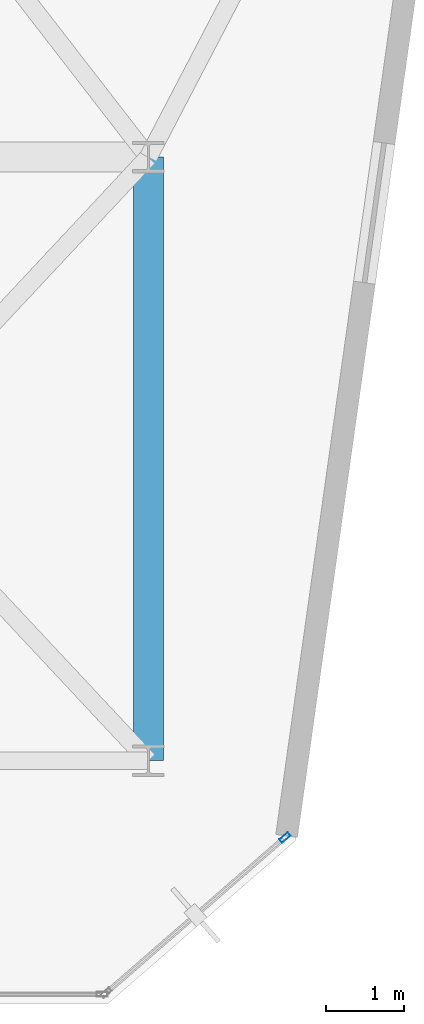
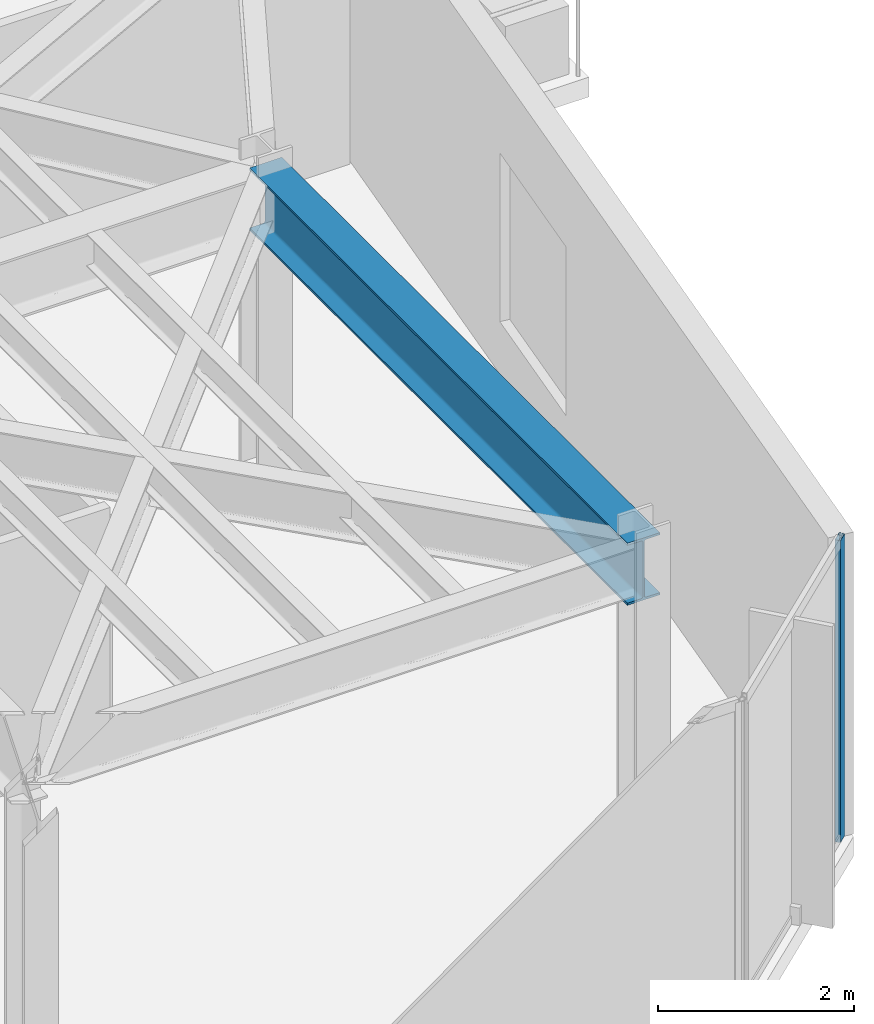
# One storey, part 20 of 27: 1 beam, 1 member, 1 element without a shape of its own.
"""IFC4 building model written with IfcOpenShell, lengths in metres."""

from ifc_helpers import new_model, si_unit, direction, frame, origin, origin_2d, place, context, subcontext, project, spatial, hollow_rectangle, i_section, extrude, material, layer, layer_set, material_profile, profile_set, type_object, element, aggregate, save


model = new_model("IFC4")

# Units and contexts
model_context = context("Model", 3, precision=1e-05, world=origin(), true_north=direction((0.0, 1.0)))
body_context = subcontext(model_context, "Body", "Model", "MODEL_VIEW")
ifc_project = project(units=[si_unit("LENGTHUNIT", "METRE"), si_unit("AREAUNIT", "SQUARE_METRE"), si_unit("VOLUMEUNIT", "CUBIC_METRE"), si_unit("PLANEANGLEUNIT", "RADIAN"), si_unit("MASSUNIT", "GRAM", prefix="KILO")], contexts=[model_context])

# Site, building, storey
site_placement = place(None, origin())
site = spatial("IfcSite", under=ifc_project, at=site_placement, CompositionType="ELEMENT")
building_placement = place(site_placement, origin())
building = spatial("IfcBuilding", under=site, at=building_placement, Name="Kravanh Interchange Tower", CompositionType="ELEMENT")
storey_placement = place(building_placement, frame((0.0, 0.0, 196.5)))
storey = spatial("IfcBuildingStorey", under=building, at=storey_placement, Name="L47", CompositionType="ELEMENT", Elevation=196.5)

# Curtain wall, member
ifc_material_1 = material(Name="Anodised Bronze Aluminium", Category="aluminium")
ifc_layer = layer(ifc_material_1, 0.179931640625)
ifc_layer_set = layer_set([ifc_layer], Name="Unitised Curtain Wall System CW-Z3 Upper Office")
curtain_wall_type = type_object("IfcCurtainWallType", Name="Unitised Curtain Wall System CW-Z3 Upper Office", PredefinedType="NOTDEFINED", material=ifc_layer_set)
curtain_wall_placement = place(storey_placement, origin())
curtain_wall = element("IfcCurtainWall", 1, at=curtain_wall_placement, inside=storey, type_object=curtain_wall_type, Name="L47 Unitised Curtain Wall CW-L47-02", PredefinedType="NOTDEFINED")
ifc_material_2 = material(Name="Anodised Bronze Aluminium", Category="aluminium")
ifc_material_profile_1 = material_profile(ifc_material_2, hollow_rectangle(XDim=0.06005859375, YDim=0.139892578125, WallThickness=0.00390625, at=origin_2d()), Name="ALU60X140X4")
ifc_profile_set_1 = profile_set([ifc_material_profile_1], Name="Anodised Bronze Aluminium")
member_type = type_object("IfcMemberType", Name="Curtain Wall Mullion ALU60X140X4 Bronze", PredefinedType="MULLION", material=ifc_profile_set_1)
member_placement = place(storey_placement, frame((64.94287109375, 13.52099609375, 0.0), z_axis=(0.0, 0.0, 1.0), x_axis=(0.65605090137, -0.754716645379, 0.0)))
member = element("IfcMember", 2, at=member_placement, type_object=member_type, Name="CW-Z3 mullion 1", PredefinedType="MULLION", context=body_context, shape_type="SweptSolid", body=[
    extrude(hollow_rectangle(XDim=0.06005859375, YDim=0.139892578125, WallThickness=0.00390625, at=origin_2d()), origin(), (0.0, 0.0, 1.0), 3.7548828125),
])
aggregate(curtain_wall, [member])

# Beam
ifc_material_3 = material(Name="Structural Steel S355", Category="steel")
ifc_material_profile_2 = material_profile(ifc_material_3, i_section(OverallWidth=0.381103515625, OverallDepth=0.77294921875, WebThickness=0.0166015625, FlangeThickness=0.027099609375, FilletRadius=0.02490234375, at=origin_2d()), Name="W30X173")
ifc_profile_set_2 = profile_set([ifc_material_profile_2], Name="Structural Steel S355")
beam_type = type_object("IfcBeamType", Name="Floor Beam W30X173 Structural Steel S355", PredefinedType="BEAM", material=ifc_profile_set_2)
beam_placement = place(storey_placement, frame((63.199951171875, 14.5, 3.368408203125), z_axis=(0.0, 1.0, 0.0), x_axis=(-1.0, 0.0, 0.0)))
element("IfcBeam", 3, at=beam_placement, inside=storey, type_object=beam_type, Name="L47 Primary Floor Girder 89", PredefinedType="BEAM", context=body_context, shape_type="SweptSolid", body=[
    extrude(i_section(OverallWidth=0.381103515625, OverallDepth=0.77294921875, WebThickness=0.0166015625, FlangeThickness=0.027099609375, FilletRadius=0.02490234375, at=origin_2d()), origin(), (0.0, 0.0, 1.0), 7.699951171875),
])

save(model, "model.ifc")
